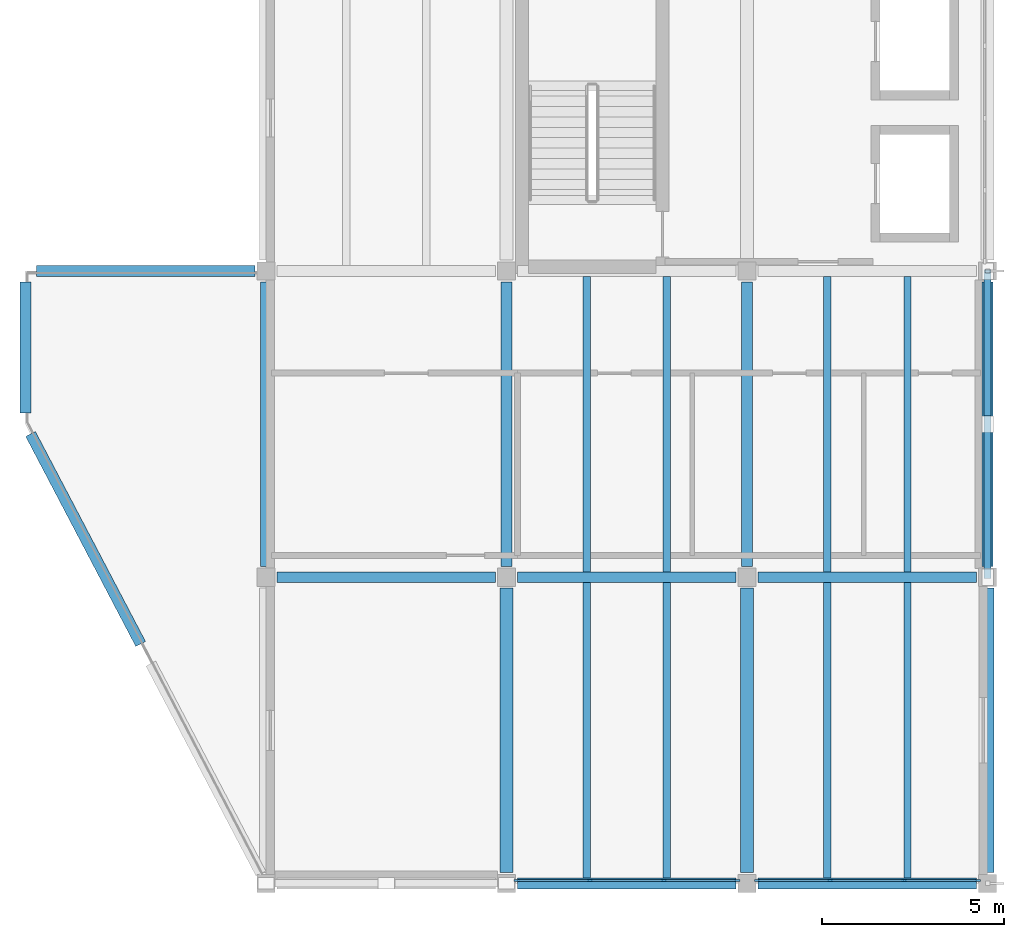
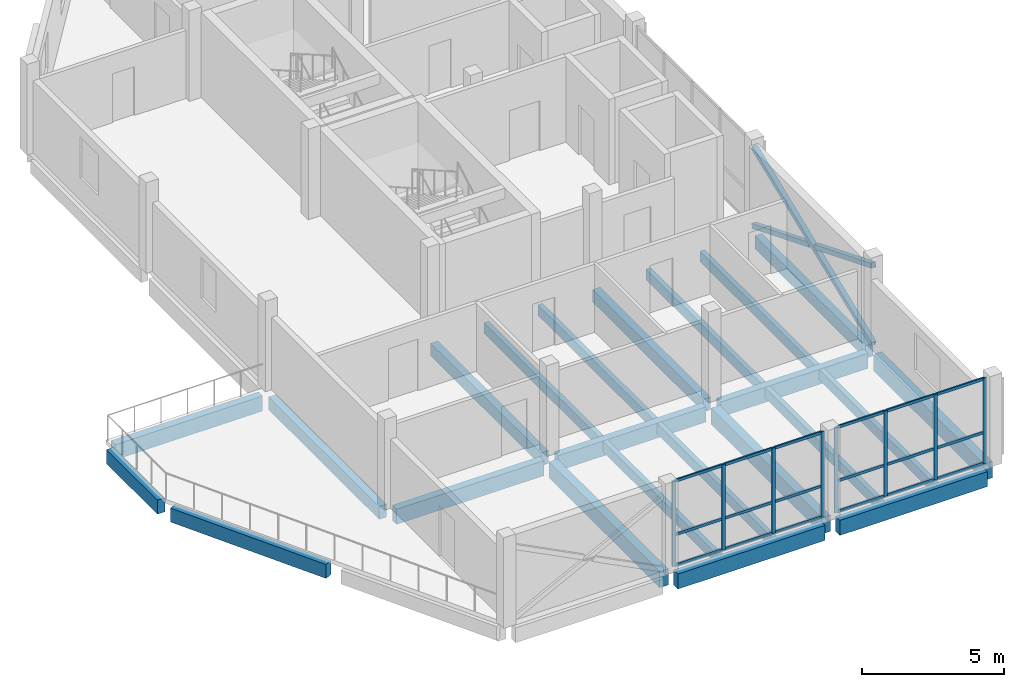
# One storey, part 2 of 9: 29 members, 23 beams, 2 elements without a shape of their own.
"""IFC4 building model written with IfcOpenShell, lengths in metres."""

from ifc_helpers import new_model, si_unit, direction, frame, origin, origin_2d, place, context, subcontext, project, spatial, rectangle, hollow_rectangle, extrude, material, material_profile, profile_set, type_object, element, aggregate, save


model = new_model("IFC4")

# Units and contexts
model_context = context("Model", 3, precision=1e-05, world=origin(), true_north=direction((0.0, 1.0)))
body_context = subcontext(model_context, "Body", "Model", "MODEL_VIEW")
ifc_project = project(units=[si_unit("LENGTHUNIT", "METRE"), si_unit("AREAUNIT", "SQUARE_METRE"), si_unit("VOLUMEUNIT", "CUBIC_METRE"), si_unit("PLANEANGLEUNIT", "RADIAN"), si_unit("MASSUNIT", "GRAM", prefix="KILO")], contexts=[model_context])

# Site, building, storey
site_placement = place(None, origin())
site = spatial("IfcSite", under=ifc_project, at=site_placement, CompositionType="ELEMENT")
building_placement = place(site_placement, origin())
building = spatial("IfcBuilding", under=site, at=building_placement, Name="Qaldarim Faculty of Natural and Applied Sciences", CompositionType="ELEMENT")
storey_placement = place(building_placement, frame((0.0, 0.0, 43.199951171875)))
storey = spatial("IfcBuildingStorey", under=building, at=storey_placement, Name="L10", CompositionType="ELEMENT", Elevation=43.199951171875)

# Beams
ifc_material_1 = material(Name="Concrete C40/50", Category="concrete")
ifc_material_profile_1 = material_profile(ifc_material_1, rectangle(XDim=0.300048828125, YDim=0.550048828125, at=origin_2d()), Name="RC-B300x550")
ifc_profile_set_1 = profile_set([ifc_material_profile_1], Name="Concrete C40/50")
beam_type_1 = type_object("IfcBeamType", Name="FloorBeam-RC300x550", PredefinedType="BEAM", material=ifc_profile_set_1)
for number, where, z_axis, x_axis, name in (
    (1, (158.39990234375, 8.699951171875, -0.494873046875), (0.0, 1.0, 0.0), (-1.0, 0.0, 0.0), "Beam RC-B300x550 L09 X25/Y02-Y03"),
    (2, (165.0, 8.699951171875, -0.494873046875), (0.0, 1.0, 0.0), (-1.0, 0.0, 0.0), "Beam RC-B300x550 L09 X26/Y02-Y03"),
    (3, (171.60009765625, 8.699951171875, -0.494873046875), (0.0, 1.0, 0.0), (-1.0, 0.0, 0.0), "Beam RC-B300x550 L09 X27/Y02-Y03"),
    (4, (178.199951171875, 8.699951171875, -0.494873046875), (0.0, 1.0, 0.0), (-1.0, 0.0, 0.0), "Beam RC-B300x550 L09 X28/Y02-Y03"),
):
    element("IfcBeam", number, at=place(storey_placement, frame(where, z_axis=z_axis, x_axis=x_axis)), inside=storey, type_object=beam_type_1, Name=name, PredefinedType="BEAM", context=body_context, shape_type="SweptSolid", body=[
        extrude(rectangle(XDim=0.300048828125, YDim=0.550048828125, at=origin_2d()), origin(), (0.0, 0.0, 1.0), 7.800048828125),
    ])
ifc_material_profile_2 = material_profile(ifc_material_1, rectangle(XDim=0.199951171875, YDim=0.449951171875, at=origin_2d()), Name="RC-J200x450")
ifc_profile_set_2 = profile_set([ifc_material_profile_2], Name="Concrete C40/50")
beam_type_2 = type_object("IfcBeamType", Name="LabJoist-RC200x450", PredefinedType="JOIST", material=ifc_profile_set_2)
for number, where, z_axis, x_axis, name in (
    (5, (167.199951171875, 0.14990234375, -0.445068359375), (0.0, 1.0, 0.0), (-1.0, 0.0, 0.0), "Laboratory joist L09 bay X26Y01-1"),
    (6, (169.39990234375, 0.14990234375, -0.445068359375), (0.0, 1.0, 0.0), (-1.0, 0.0, 0.0), "Laboratory joist L09 bay X26Y01-2"),
):
    element("IfcBeam", number, at=place(storey_placement, frame(where, z_axis=z_axis, x_axis=x_axis)), inside=storey, type_object=beam_type_2, Name=name, PredefinedType="JOIST", context=body_context, shape_type="SweptSolid", body=[
        extrude(rectangle(XDim=0.199951171875, YDim=0.449951171875, at=origin_2d()), origin(), (0.0, 0.0, 1.0), 8.10009765625),
    ])
for number, where, z_axis, x_axis, name in (
    (7, (167.199951171875, 8.550048828125, -0.445068359375), (0.0, 1.0, 0.0), (-1.0, 0.0, 0.0), "Laboratory joist L09 bay X26Y02-1"),
    (8, (169.39990234375, 8.550048828125, -0.445068359375), (0.0, 1.0, 0.0), (-1.0, 0.0, 0.0), "Laboratory joist L09 bay X26Y02-2"),
):
    element("IfcBeam", number, at=place(storey_placement, frame(where, z_axis=z_axis, x_axis=x_axis)), inside=storey, type_object=beam_type_2, Name=name, PredefinedType="JOIST", context=body_context, shape_type="SweptSolid", body=[
        extrude(rectangle(XDim=0.199951171875, YDim=0.449951171875, at=origin_2d()), origin(), (0.0, 0.0, 1.0), 8.099853515625),
    ])
for number, where, z_axis, x_axis, name in (
    (9, (173.800048828125, 0.14990234375, -0.445068359375), (0.0, 1.0, 0.0), (-1.0, 0.0, 0.0), "Laboratory joist L09 bay X27Y01-1"),
    (10, (176.0, 0.14990234375, -0.445068359375), (0.0, 1.0, 0.0), (-1.0, 0.0, 0.0), "Laboratory joist L09 bay X27Y01-2"),
):
    element("IfcBeam", number, at=place(storey_placement, frame(where, z_axis=z_axis, x_axis=x_axis)), inside=storey, type_object=beam_type_2, Name=name, PredefinedType="JOIST", context=body_context, shape_type="SweptSolid", body=[
        extrude(rectangle(XDim=0.199951171875, YDim=0.449951171875, at=origin_2d()), origin(), (0.0, 0.0, 1.0), 8.10009765625),
    ])
for number, where, z_axis, x_axis, name in (
    (11, (173.800048828125, 8.550048828125, -0.445068359375), (0.0, 1.0, 0.0), (-1.0, 0.0, 0.0), "Laboratory joist L09 bay X27Y02-1"),
    (12, (176.0, 8.550048828125, -0.445068359375), (0.0, 1.0, 0.0), (-1.0, 0.0, 0.0), "Laboratory joist L09 bay X27Y02-2"),
):
    element("IfcBeam", number, at=place(storey_placement, frame(where, z_axis=z_axis, x_axis=x_axis)), inside=storey, type_object=beam_type_2, Name=name, PredefinedType="JOIST", context=body_context, shape_type="SweptSolid", body=[
        extrude(rectangle(XDim=0.199951171875, YDim=0.449951171875, at=origin_2d()), origin(), (0.0, 0.0, 1.0), 8.099853515625),
    ])

# Curtain wall, members
ifc_material_2 = material(Name="Anodised aluminium AW-6063", Category="aluminium")
curtain_wall_type = type_object("IfcCurtainWallType", Name="CurtainWallSystem-M1950", PredefinedType="USERDEFINED", material=ifc_material_2)
curtain_wall_1_placement = place(storey_placement, origin())
curtain_wall_1 = element("IfcCurtainWall", 13, at=curtain_wall_1_placement, inside=storey, type_object=curtain_wall_type, Name="Curtain wall CW-L10-S-X26Y01", ObjectType="UNITISED FACADE", PredefinedType="USERDEFINED")
ifc_material_profile_3 = material_profile(ifc_material_2, rectangle(XDim=0.06005859375, YDim=0.14990234375, at=origin_2d()), Name="ALU-M60x150")
ifc_profile_set_3 = profile_set([ifc_material_profile_3], Name="Anodised aluminium AW-6063")
member_type_1 = type_object("IfcMemberType", Name="Mullion-ALU60x150", PredefinedType="MULLION", material=ifc_profile_set_3)
member_1_placement = place(storey_placement, frame((165.27490234375, 0.080078125, 0.0), z_axis=(0.0, 0.0, 1.0), x_axis=(0.0, 1.0, 0.0)))
member_1 = element("IfcMember", 14, at=member_1_placement, type_object=member_type_1, Name="Mullion 1 of CW-L10-S-X26Y01", PredefinedType="MULLION", context=body_context, shape_type="SweptSolid", body=[
    extrude(rectangle(XDim=0.06005859375, YDim=0.14990234375, at=origin_2d()), origin(), (0.0, 0.0, 1.0), 3.679931640625),
])
member_2_placement = place(storey_placement, frame((167.28173828125, 0.080078125, 0.0), z_axis=(0.0, 0.0, 1.0), x_axis=(0.0, 1.0, 0.0)))
member_2 = element("IfcMember", 15, at=member_2_placement, type_object=member_type_1, Name="Mullion 2 of CW-L10-S-X26Y01", PredefinedType="MULLION", context=body_context, shape_type="SweptSolid", body=[
    extrude(rectangle(XDim=0.06005859375, YDim=0.14990234375, at=origin_2d()), origin(), (0.0, 0.0, 1.0), 3.679931640625),
])
member_3_placement = place(storey_placement, frame((169.318359375, 0.080078125, 0.0), z_axis=(0.0, 0.0, 1.0), x_axis=(0.0, 1.0, 0.0)))
member_3 = element("IfcMember", 16, at=member_3_placement, type_object=member_type_1, Name="Mullion 3 of CW-L10-S-X26Y01", PredefinedType="MULLION", context=body_context, shape_type="SweptSolid", body=[
    extrude(rectangle(XDim=0.06005859375, YDim=0.14990234375, at=origin_2d()), origin(), (0.0, 0.0, 1.0), 3.679931640625),
])
member_4_placement = place(storey_placement, frame((171.324951171875, 0.080078125, 0.0), z_axis=(0.0, 0.0, 1.0), x_axis=(0.0, 1.0, 0.0)))
member_4 = element("IfcMember", 17, at=member_4_placement, type_object=member_type_1, Name="Mullion 4 of CW-L10-S-X26Y01", PredefinedType="MULLION", context=body_context, shape_type="SweptSolid", body=[
    extrude(rectangle(XDim=0.06005859375, YDim=0.14990234375, at=origin_2d()), origin(), (0.0, 0.0, 1.0), 3.679931640625),
])

curtain_wall_2_placement = place(storey_placement, origin())
curtain_wall_2 = element("IfcCurtainWall", 18, at=curtain_wall_2_placement, inside=storey, type_object=curtain_wall_type, Name="Curtain wall CW-L10-S-X27Y01", ObjectType="UNITISED FACADE", PredefinedType="USERDEFINED")
member_5_placement = place(storey_placement, frame((171.875, 0.080078125, 0.0), z_axis=(0.0, 0.0, 1.0), x_axis=(0.0, 1.0, 0.0)))
member_5 = element("IfcMember", 19, at=member_5_placement, type_object=member_type_1, Name="Mullion 1 of CW-L10-S-X27Y01", PredefinedType="MULLION", context=body_context, shape_type="SweptSolid", body=[
    extrude(rectangle(XDim=0.06005859375, YDim=0.14990234375, at=origin_2d()), origin(), (0.0, 0.0, 1.0), 3.679931640625),
])
member_6_placement = place(storey_placement, frame((173.881591796875, 0.080078125, 0.0), z_axis=(0.0, 0.0, 1.0), x_axis=(0.0, 1.0, 0.0)))
member_6 = element("IfcMember", 20, at=member_6_placement, type_object=member_type_1, Name="Mullion 2 of CW-L10-S-X27Y01", PredefinedType="MULLION", context=body_context, shape_type="SweptSolid", body=[
    extrude(rectangle(XDim=0.06005859375, YDim=0.14990234375, at=origin_2d()), origin(), (0.0, 0.0, 1.0), 3.679931640625),
])
member_7_placement = place(storey_placement, frame((175.918212890625, 0.080078125, 0.0), z_axis=(0.0, 0.0, 1.0), x_axis=(0.0, 1.0, 0.0)))
member_7 = element("IfcMember", 21, at=member_7_placement, type_object=member_type_1, Name="Mullion 3 of CW-L10-S-X27Y01", PredefinedType="MULLION", context=body_context, shape_type="SweptSolid", body=[
    extrude(rectangle(XDim=0.06005859375, YDim=0.14990234375, at=origin_2d()), origin(), (0.0, 0.0, 1.0), 3.679931640625),
])
member_8_placement = place(storey_placement, frame((177.925048828125, 0.080078125, 0.0), z_axis=(0.0, 0.0, 1.0), x_axis=(0.0, 1.0, 0.0)))
member_8 = element("IfcMember", 22, at=member_8_placement, type_object=member_type_1, Name="Mullion 4 of CW-L10-S-X27Y01", PredefinedType="MULLION", context=body_context, shape_type="SweptSolid", body=[
    extrude(rectangle(XDim=0.06005859375, YDim=0.14990234375, at=origin_2d()), origin(), (0.0, 0.0, 1.0), 3.679931640625),
])

# Beams
ifc_material_profile_4 = material_profile(ifc_material_1, rectangle(XDim=0.300048828125, YDim=0.64990234375, at=origin_2d()), Name="RC-B300x650")
ifc_profile_set_4 = profile_set([ifc_material_profile_4], Name="Concrete C40/50")
beam_type_3 = type_object("IfcBeamType", Name="PrimaryBeam-RC300x650", PredefinedType="BEAM", material=ifc_profile_set_4)
for number, where, z_axis, x_axis, name in (
    (23, (165.300048828125, 0.0, -0.544921875), (1.0, 0.0, 0.0), (0.0, 1.0, 0.0), "Beam RC-B300x650 L09 X26-X27/Y01"),
    (24, (171.89990234375, 0.0, -0.544921875), (1.0, 0.0, 0.0), (0.0, 1.0, 0.0), "Beam RC-B300x650 L09 X27-X28/Y01"),
    (25, (158.699951171875, 8.39990234375, -0.544921875), (1.0, 0.0, 0.0), (0.0, 1.0, 0.0), "Beam RC-B300x650 L09 X25-X26/Y02"),
    (26, (165.300048828125, 8.39990234375, -0.544921875), (1.0, 0.0, 0.0), (0.0, 1.0, 0.0), "Beam RC-B300x650 L09 X26-X27/Y02"),
    (27, (171.89990234375, 8.39990234375, -0.544921875), (1.0, 0.0, 0.0), (0.0, 1.0, 0.0), "Beam RC-B300x650 L09 X27-X28/Y02"),
    (28, (152.10009765625, 16.800048828125, -0.544921875), (1.0, 0.0, 0.0), (0.0, 1.0, 0.0), "Beam RC-B300x650 L09 X24-X25/Y03"),
):
    element("IfcBeam", number, at=place(storey_placement, frame(where, z_axis=z_axis, x_axis=x_axis)), inside=storey, type_object=beam_type_3, Name=name, PredefinedType="BEAM", context=body_context, shape_type="SweptSolid", body=[
        extrude(rectangle(XDim=0.300048828125, YDim=0.64990234375, at=origin_2d()), origin(), (0.0, 0.0, 1.0), 6.0),
    ])
ifc_material_profile_5 = material_profile(ifc_material_1, rectangle(XDim=0.35009765625, YDim=0.699951171875, at=origin_2d()), Name="RC-B350x700")
ifc_profile_set_5 = profile_set([ifc_material_profile_5], Name="Concrete C40/50")
beam_type_4 = type_object("IfcBeamType", Name="PrimaryGirder-RC350x700", PredefinedType="BEAM", material=ifc_profile_set_5)
for number, where, z_axis, x_axis, name in (
    (29, (165.0, 0.300048828125, -0.570068359375), (0.0, 1.0, 0.0), (-1.0, 0.0, 0.0), "Beam RC-B350x700 L09 X26/Y01-Y02"),
    (30, (171.60009765625, 0.300048828125, -0.570068359375), (0.0, 1.0, 0.0), (-1.0, 0.0, 0.0), "Beam RC-B350x700 L09 X27/Y01-Y02"),
    (31, (178.199951171875, 0.300048828125, -0.570068359375), (0.0, 1.0, 0.0), (-1.0, 0.0, 0.0), "Beam RC-B350x700 L09 X28/Y01-Y02"),
):
    element("IfcBeam", number, at=place(storey_placement, frame(where, z_axis=z_axis, x_axis=x_axis)), inside=storey, type_object=beam_type_4, Name=name, PredefinedType="BEAM", context=body_context, shape_type="SweptSolid", body=[
        extrude(rectangle(XDim=0.35009765625, YDim=0.699951171875, at=origin_2d()), origin(), (0.0, 0.0, 1.0), 7.800048828125),
    ])
ifc_material_3 = material(Name="Precast concrete C40/50", Category="concrete")
ifc_material_profile_6 = material_profile(ifc_material_3, rectangle(XDim=0.300048828125, YDim=0.60009765625, at=origin_2d()), Name="RC-SP300x600")
ifc_profile_set_6 = profile_set([ifc_material_profile_6], Name="Precast concrete C40/50")
beam_type_5 = type_object("IfcBeamType", Name="SpandrelBeam-RC300x600", PredefinedType="SPANDREL", material=ifc_profile_set_6)
beam_1_placement = place(storey_placement, frame((151.800048828125, 16.5, -0.47998046875), z_axis=(0.0, -1.0, 0.0), x_axis=(1.0, 0.0, 0.0)))
element("IfcBeam", 32, at=beam_1_placement, inside=storey, type_object=beam_type_5, Name="Oblique SW chamfer spandrel L09 1", PredefinedType="SPANDREL", context=body_context, shape_type="SweptSolid", body=[
    extrude(rectangle(XDim=0.300048828125, YDim=0.60009765625, at=origin_2d()), origin(), (0.0, 0.0, 1.0), 3.60009765625),
])
beam_2_placement = place(storey_placement, frame((151.93994140625, 12.330078125, -0.47998046875), z_axis=(0.464353423794, -0.885649986061, 0.0), x_axis=(0.885649986061, 0.464353423794, 0.0)))
element("IfcBeam", 33, at=beam_2_placement, inside=storey, type_object=beam_type_5, Name="Oblique SW chamfer spandrel L09 2", PredefinedType="SPANDREL", context=body_context, shape_type="SweptSolid", body=[
    extrude(rectangle(XDim=0.300048828125, YDim=0.60009765625, at=origin_2d()), origin(), (0.0, 0.0, 1.0), 6.503662109375),
])

# Member
ifc_material_profile_7 = material_profile(ifc_material_2, rectangle(XDim=0.06005859375, YDim=0.1201171875, at=origin_2d()), Name="ALU-T60x120")
ifc_profile_set_7 = profile_set([ifc_material_profile_7], Name="Anodised aluminium AW-6063")
member_type_2 = type_object("IfcMemberType", Name="Transom-ALU60x120", PredefinedType="USERDEFINED", material=ifc_profile_set_7)
member_9_placement = place(storey_placement, frame((165.304931640625, 0.080078125, 0.030029296875), z_axis=(1.0, 0.0, 0.0), x_axis=(0.0, 1.0, 0.0)))
member_9 = element("IfcMember", 34, at=member_9_placement, type_object=member_type_2, Name="Transom 1-1 of CW-L10-S-X26Y01", ObjectType="TRANSOM", PredefinedType="USERDEFINED", context=body_context, shape_type="SweptSolid", body=[
    extrude(rectangle(XDim=0.06005859375, YDim=0.1201171875, at=origin_2d()), origin(), (0.0, 0.0, 1.0), 1.94677734375),
])

member_10_placement = place(storey_placement, frame((165.304931640625, 0.080078125, 1.35009765625), z_axis=(1.0, 0.0, 0.0), x_axis=(0.0, 1.0, 0.0)))
member_10 = element("IfcMember", 35, at=member_10_placement, type_object=member_type_2, Name="Transom 1-2 of CW-L10-S-X26Y01", ObjectType="TRANSOM", PredefinedType="USERDEFINED", context=body_context, shape_type="SweptSolid", body=[
    extrude(rectangle(XDim=0.06005859375, YDim=0.1201171875, at=origin_2d()), origin(), (0.0, 0.0, 1.0), 1.94677734375),
])

member_11_placement = place(storey_placement, frame((165.304931640625, 0.080078125, 3.650146484375), z_axis=(1.0, 0.0, 0.0), x_axis=(0.0, 1.0, 0.0)))
member_11 = element("IfcMember", 36, at=member_11_placement, type_object=member_type_2, Name="Transom 1-3 of CW-L10-S-X26Y01", ObjectType="TRANSOM", PredefinedType="USERDEFINED", context=body_context, shape_type="SweptSolid", body=[
    extrude(rectangle(XDim=0.06005859375, YDim=0.1201171875, at=origin_2d()), origin(), (0.0, 0.0, 1.0), 1.94677734375),
])

member_12_placement = place(storey_placement, frame((167.311767578125, 0.080078125, 0.030029296875), z_axis=(1.0, 0.0, 0.0), x_axis=(0.0, 1.0, 0.0)))
member_12 = element("IfcMember", 37, at=member_12_placement, type_object=member_type_2, Name="Transom 2-1 of CW-L10-S-X26Y01", ObjectType="TRANSOM", PredefinedType="USERDEFINED", context=body_context, shape_type="SweptSolid", body=[
    extrude(rectangle(XDim=0.06005859375, YDim=0.1201171875, at=origin_2d()), origin(), (0.0, 0.0, 1.0), 1.9765625),
])

member_13_placement = place(storey_placement, frame((167.311767578125, 0.080078125, 1.35009765625), z_axis=(1.0, 0.0, 0.0), x_axis=(0.0, 1.0, 0.0)))
member_13 = element("IfcMember", 38, at=member_13_placement, type_object=member_type_2, Name="Transom 2-2 of CW-L10-S-X26Y01", ObjectType="TRANSOM", PredefinedType="USERDEFINED", context=body_context, shape_type="SweptSolid", body=[
    extrude(rectangle(XDim=0.06005859375, YDim=0.1201171875, at=origin_2d()), origin(), (0.0, 0.0, 1.0), 1.9765625),
])

member_14_placement = place(storey_placement, frame((167.311767578125, 0.080078125, 3.650146484375), z_axis=(1.0, 0.0, 0.0), x_axis=(0.0, 1.0, 0.0)))
member_14 = element("IfcMember", 39, at=member_14_placement, type_object=member_type_2, Name="Transom 2-3 of CW-L10-S-X26Y01", ObjectType="TRANSOM", PredefinedType="USERDEFINED", context=body_context, shape_type="SweptSolid", body=[
    extrude(rectangle(XDim=0.06005859375, YDim=0.1201171875, at=origin_2d()), origin(), (0.0, 0.0, 1.0), 1.9765625),
])

member_15_placement = place(storey_placement, frame((169.348388671875, 0.080078125, 0.030029296875), z_axis=(1.0, 0.0, 0.0), x_axis=(0.0, 1.0, 0.0)))
member_15 = element("IfcMember", 40, at=member_15_placement, type_object=member_type_2, Name="Transom 3-1 of CW-L10-S-X26Y01", ObjectType="TRANSOM", PredefinedType="USERDEFINED", context=body_context, shape_type="SweptSolid", body=[
    extrude(rectangle(XDim=0.06005859375, YDim=0.1201171875, at=origin_2d()), origin(), (0.0, 0.0, 1.0), 1.946533203125),
])

member_16_placement = place(storey_placement, frame((169.348388671875, 0.080078125, 1.35009765625), z_axis=(1.0, 0.0, 0.0), x_axis=(0.0, 1.0, 0.0)))
member_16 = element("IfcMember", 41, at=member_16_placement, type_object=member_type_2, Name="Transom 3-2 of CW-L10-S-X26Y01", ObjectType="TRANSOM", PredefinedType="USERDEFINED", context=body_context, shape_type="SweptSolid", body=[
    extrude(rectangle(XDim=0.06005859375, YDim=0.1201171875, at=origin_2d()), origin(), (0.0, 0.0, 1.0), 1.946533203125),
])

member_17_placement = place(storey_placement, frame((169.348388671875, 0.080078125, 3.650146484375), z_axis=(1.0, 0.0, 0.0), x_axis=(0.0, 1.0, 0.0)))
member_17 = element("IfcMember", 42, at=member_17_placement, type_object=member_type_2, Name="Transom 3-3 of CW-L10-S-X26Y01", ObjectType="TRANSOM", PredefinedType="USERDEFINED", context=body_context, shape_type="SweptSolid", body=[
    extrude(rectangle(XDim=0.06005859375, YDim=0.1201171875, at=origin_2d()), origin(), (0.0, 0.0, 1.0), 1.946533203125),
])

aggregate(curtain_wall_1, [member_1, member_2, member_3, member_4, member_9, member_10, member_11, member_12, member_13, member_14, member_15, member_16, member_17])

member_18_placement = place(storey_placement, frame((171.905029296875, 0.080078125, 0.030029296875), z_axis=(1.0, 0.0, 0.0), x_axis=(0.0, 1.0, 0.0)))
member_18 = element("IfcMember", 43, at=member_18_placement, type_object=member_type_2, Name="Transom 1-1 of CW-L10-S-X27Y01", ObjectType="TRANSOM", PredefinedType="USERDEFINED", context=body_context, shape_type="SweptSolid", body=[
    extrude(rectangle(XDim=0.06005859375, YDim=0.1201171875, at=origin_2d()), origin(), (0.0, 0.0, 1.0), 1.94677734375),
])

member_19_placement = place(storey_placement, frame((171.905029296875, 0.080078125, 1.35009765625), z_axis=(1.0, 0.0, 0.0), x_axis=(0.0, 1.0, 0.0)))
member_19 = element("IfcMember", 44, at=member_19_placement, type_object=member_type_2, Name="Transom 1-2 of CW-L10-S-X27Y01", ObjectType="TRANSOM", PredefinedType="USERDEFINED", context=body_context, shape_type="SweptSolid", body=[
    extrude(rectangle(XDim=0.06005859375, YDim=0.1201171875, at=origin_2d()), origin(), (0.0, 0.0, 1.0), 1.94677734375),
])

member_20_placement = place(storey_placement, frame((171.905029296875, 0.080078125, 3.650146484375), z_axis=(1.0, 0.0, 0.0), x_axis=(0.0, 1.0, 0.0)))
member_20 = element("IfcMember", 45, at=member_20_placement, type_object=member_type_2, Name="Transom 1-3 of CW-L10-S-X27Y01", ObjectType="TRANSOM", PredefinedType="USERDEFINED", context=body_context, shape_type="SweptSolid", body=[
    extrude(rectangle(XDim=0.06005859375, YDim=0.1201171875, at=origin_2d()), origin(), (0.0, 0.0, 1.0), 1.94677734375),
])

member_21_placement = place(storey_placement, frame((173.91162109375, 0.080078125, 0.030029296875), z_axis=(1.0, 0.0, 0.0), x_axis=(0.0, 1.0, 0.0)))
member_21 = element("IfcMember", 46, at=member_21_placement, type_object=member_type_2, Name="Transom 2-1 of CW-L10-S-X27Y01", ObjectType="TRANSOM", PredefinedType="USERDEFINED", context=body_context, shape_type="SweptSolid", body=[
    extrude(rectangle(XDim=0.06005859375, YDim=0.1201171875, at=origin_2d()), origin(), (0.0, 0.0, 1.0), 1.9765625),
])

member_22_placement = place(storey_placement, frame((173.91162109375, 0.080078125, 1.35009765625), z_axis=(1.0, 0.0, 0.0), x_axis=(0.0, 1.0, 0.0)))
member_22 = element("IfcMember", 47, at=member_22_placement, type_object=member_type_2, Name="Transom 2-2 of CW-L10-S-X27Y01", ObjectType="TRANSOM", PredefinedType="USERDEFINED", context=body_context, shape_type="SweptSolid", body=[
    extrude(rectangle(XDim=0.06005859375, YDim=0.1201171875, at=origin_2d()), origin(), (0.0, 0.0, 1.0), 1.9765625),
])

member_23_placement = place(storey_placement, frame((173.91162109375, 0.080078125, 3.650146484375), z_axis=(1.0, 0.0, 0.0), x_axis=(0.0, 1.0, 0.0)))
member_23 = element("IfcMember", 48, at=member_23_placement, type_object=member_type_2, Name="Transom 2-3 of CW-L10-S-X27Y01", ObjectType="TRANSOM", PredefinedType="USERDEFINED", context=body_context, shape_type="SweptSolid", body=[
    extrude(rectangle(XDim=0.06005859375, YDim=0.1201171875, at=origin_2d()), origin(), (0.0, 0.0, 1.0), 1.9765625),
])

member_24_placement = place(storey_placement, frame((175.9482421875, 0.080078125, 0.030029296875), z_axis=(1.0, 0.0, 0.0), x_axis=(0.0, 1.0, 0.0)))
member_24 = element("IfcMember", 49, at=member_24_placement, type_object=member_type_2, Name="Transom 3-1 of CW-L10-S-X27Y01", ObjectType="TRANSOM", PredefinedType="USERDEFINED", context=body_context, shape_type="SweptSolid", body=[
    extrude(rectangle(XDim=0.06005859375, YDim=0.1201171875, at=origin_2d()), origin(), (0.0, 0.0, 1.0), 1.94677734375),
])

member_25_placement = place(storey_placement, frame((175.9482421875, 0.080078125, 1.35009765625), z_axis=(1.0, 0.0, 0.0), x_axis=(0.0, 1.0, 0.0)))
member_25 = element("IfcMember", 50, at=member_25_placement, type_object=member_type_2, Name="Transom 3-2 of CW-L10-S-X27Y01", ObjectType="TRANSOM", PredefinedType="USERDEFINED", context=body_context, shape_type="SweptSolid", body=[
    extrude(rectangle(XDim=0.06005859375, YDim=0.1201171875, at=origin_2d()), origin(), (0.0, 0.0, 1.0), 1.94677734375),
])

member_26_placement = place(storey_placement, frame((175.9482421875, 0.080078125, 3.650146484375), z_axis=(1.0, 0.0, 0.0), x_axis=(0.0, 1.0, 0.0)))
member_26 = element("IfcMember", 51, at=member_26_placement, type_object=member_type_2, Name="Transom 3-3 of CW-L10-S-X27Y01", ObjectType="TRANSOM", PredefinedType="USERDEFINED", context=body_context, shape_type="SweptSolid", body=[
    extrude(rectangle(XDim=0.06005859375, YDim=0.1201171875, at=origin_2d()), origin(), (0.0, 0.0, 1.0), 1.94677734375),
])

aggregate(curtain_wall_2, [member_5, member_6, member_7, member_8, member_18, member_19, member_20, member_21, member_22, member_23, member_24, member_25, member_26])

# Members
ifc_material_4 = material(Name="Structural steel S355", Category="steel")
ifc_material_profile_8 = material_profile(ifc_material_4, hollow_rectangle(XDim=0.199951171875, YDim=0.199951171875, WallThickness=0.012451171875, at=origin_2d()), Name="SHS 200x200x12.5")
ifc_profile_set_8 = profile_set([ifc_material_profile_8], Name="Structural steel S355")
member_type_3 = type_object("IfcMemberType", Name="UpperWingBrace-SHS200x12-5", PredefinedType="BRACE", material=ifc_profile_set_8)
member_27_placement = place(storey_placement, frame((178.199951171875, 8.39990234375, 0.0), z_axis=(0.0, 0.927710467921, 0.373300532693), x_axis=(-1.0, 0.0, 0.0)))
element("IfcMember", 52, at=member_27_placement, inside=storey, type_object=member_type_3, Name="East diagrid L10 primary brace L", PredefinedType="BRACE", context=body_context, shape_type="SweptSolid", body=[
    extrude(hollow_rectangle(XDim=0.199951171875, YDim=0.199951171875, WallThickness=0.012451171875, at=origin_2d()), origin(), (0.0, 0.0, 1.0), 9.0546875),
])
for number, where, z_axis, x_axis, name in (
    (53, (178.199951171875, 16.800048828125, 0.0), (0.0, -0.927508042448, 0.373803198481), (1.0, 0.0, 0.0), "East diagrid L10 split secondary lower brace R1"),
    (54, (178.199951171875, 12.39501953125, 1.77001953125), (0.0, -0.927508042448, 0.373803198481), (1.0, 0.0, 0.0), "East diagrid L10 split secondary upper brace R2"),
):
    element("IfcMember", number, at=place(storey_placement, frame(where, z_axis=z_axis, x_axis=x_axis)), inside=storey, type_object=member_type_3, Name=name, PredefinedType="BRACE", context=body_context, shape_type="SweptSolid", body=[
        extrude(hollow_rectangle(XDim=0.199951171875, YDim=0.199951171875, WallThickness=0.012451171875, at=origin_2d()), origin(), (0.0, 0.0, 1.0), 4.307373046875),
    ])

save(model, "model.ifc")
